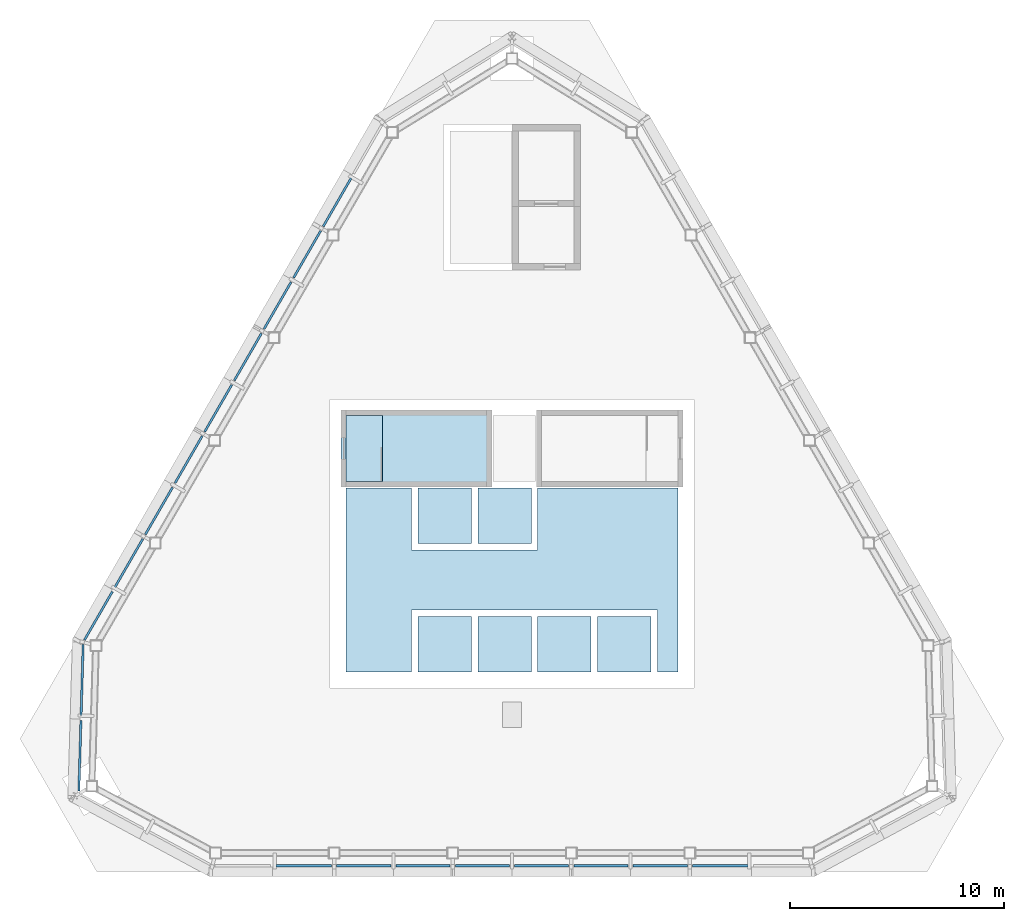
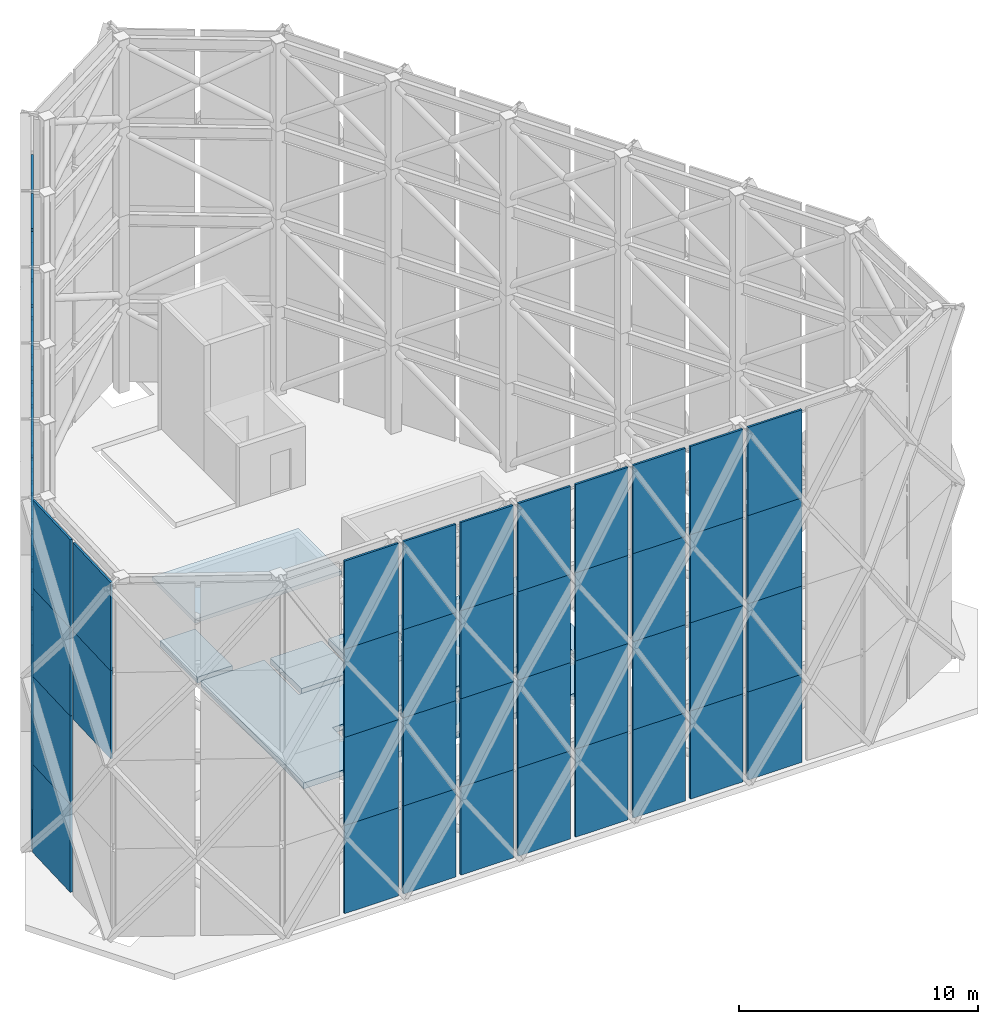
# One storey, part 8 of 12: 74 plates, 9 slabs.
"""IFC4 building model written with IfcOpenShell, lengths in metres."""

import ifcopenshell
import ifcopenshell.guid

model = None  # the IFC model being written
_history = None  # IfcOwnerHistory: only IFC2X3 demands one
_inside = {}  # id of a spatial element -> (the spatial element, [elements in it])
_under = {}  # id of a project, library or spatial element -> (it, [spatial elements below it])
_declared = {}  # id of a project -> (the project, [libraries it declares])
_typed = {}  # id of a type object -> (the type object, [elements of that type])
_made_of = {}  # id of a material, layer set ... -> (it, [elements and type objects made of it])


def new_model(schema):
    """Start an empty IFC model of exactly this schema.

    Asked for "IFC4X3", IfcOpenShell would pick the latest addendum, in which some entities
    have other attributes; the version numbers below select the first issue.
    IFC2X3 requires an IfcOwnerHistory on every rooted entity: one is made here for all.
    """
    global model, _history
    if schema == "IFC4X3":
        model = ifcopenshell.file(schema_version=(4, 3, 0, 0))
    else:
        model = ifcopenshell.file(schema=schema)
    _inside.clear()
    _under.clear()
    _declared.clear()
    _typed.clear()
    _made_of.clear()
    _history = None
    if model.schema == "IFC2X3":
        org = make("IfcOrganization", Name="unknown")
        user = make(
            "IfcPersonAndOrganization",
            ThePerson=make("IfcPerson", FamilyName="unknown"),
            TheOrganization=org,
        )
        app = make(
            "IfcApplication",
            ApplicationDeveloper=org,
            Version="unknown",
            ApplicationFullName="unknown",
            ApplicationIdentifier="unknown",
        )
        _history = make(
            "IfcOwnerHistory",
            OwningUser=user,
            OwningApplication=app,
            ChangeAction="ADDED",
            CreationDate=0,
        )
    return model


def make(cls, **values):
    """One entity of the class cls with the attributes given. An attribute that is None is left unset."""
    return model.create_entity(
        cls, **{name: value for name, value in values.items() if value is not None}
    )


def rooted(cls, **values):
    """An entity with a GlobalId (a new one), such as an element, a storey or a relation."""
    return make(cls, GlobalId=ifcopenshell.guid.new(), OwnerHistory=_history, **values)


def si_unit(unit_type, name, prefix=None):
    """IfcSIUnit, for example si_unit("LENGTHUNIT", "METRE", prefix="MILLI")."""
    return make("IfcSIUnit", UnitType=unit_type, Prefix=prefix, Name=name)


def assignment(units):
    """IfcUnitAssignment: the units of a project."""
    return None if units is None else make("IfcUnitAssignment", Units=units)


def point(xyz):
    """IfcCartesianPoint."""
    return None if xyz is None else make("IfcCartesianPoint", Coordinates=xyz)


def direction(xyz):
    """IfcDirection."""
    return None if xyz is None else make("IfcDirection", DirectionRatios=xyz)


def frame(location, z_axis=None, x_axis=None):
    """IfcAxis2Placement3D, a coordinate frame: its origin and axes. An axis left out is left unset."""
    return make(
        "IfcAxis2Placement3D",
        Location=point(location),
        Axis=direction(z_axis),
        RefDirection=direction(x_axis),
    )


def origin():
    """The frame at (0, 0, 0) with its axes left unset."""
    return frame((0.0, 0.0, 0.0))


def place(relative_to, where):
    """IfcLocalPlacement: puts the frame where relative to a parent placement (None: the world)."""
    return make(
        "IfcLocalPlacement", PlacementRelTo=relative_to, RelativePlacement=where
    )


def context(
    kind, dimensions, precision=None, world=None, true_north=None, identifier=None
):
    """IfcGeometricRepresentationContext, for example the 3D "Model" context."""
    return make(
        "IfcGeometricRepresentationContext",
        ContextIdentifier=identifier,
        ContextType=kind,
        CoordinateSpaceDimension=dimensions,
        Precision=precision,
        WorldCoordinateSystem=world,
        TrueNorth=true_north,
    )


def subcontext(parent, identifier, kind, view, scale=None):
    """IfcGeometricRepresentationSubContext, for example "Body" below "Model"."""
    return make(
        "IfcGeometricRepresentationSubContext",
        ContextIdentifier=identifier,
        ContextType=kind,
        ParentContext=parent,
        TargetScale=scale,
        TargetView=view,
    )


def project(units=None, contexts=None):
    """IfcProject with its units and contexts."""
    return rooted(
        "IfcProject",
        Name="project",
        RepresentationContexts=contexts,
        UnitsInContext=assignment(units),
    )


def spatial(cls, under=None, at=None, **own):
    """A site, building, storey or space (cls), placed at a placement, below another one or the project."""
    s = rooted(cls, ObjectPlacement=at, **own)
    if under is not None:
        _under.setdefault(under.id(), (under, []))[1].append(s)
    return s


def polyline(points):
    """IfcPolyline through the points."""
    return make("IfcPolyline", Points=[point(p) for p in points])


def outline(outer, holes=None, kind="AREA"):
    """IfcArbitraryClosedProfileDef: a profile drawn as a closed curve; with holes, ...WithVoids."""
    if holes is None:
        return make("IfcArbitraryClosedProfileDef", ProfileType=kind, OuterCurve=outer)
    return make(
        "IfcArbitraryProfileDefWithVoids",
        ProfileType=kind,
        OuterCurve=outer,
        InnerCurves=holes,
    )


def extrude(swept, where, along, depth):
    """IfcExtrudedAreaSolid: the profile swept, set in the frame where, extruded along a direction by depth."""
    return make(
        "IfcExtrudedAreaSolid",
        SweptArea=swept,
        Position=where,
        ExtrudedDirection=direction(along),
        Depth=depth,
    )


def shape(context_of_items, identifier, shape_type, items):
    """IfcShapeRepresentation: the items that make up one representation, for example the "Body"."""
    return make(
        "IfcShapeRepresentation",
        ContextOfItems=context_of_items,
        RepresentationIdentifier=identifier,
        RepresentationType=shape_type,
        Items=items,
    )


def material(Name=None, Category=None):
    """IfcMaterial."""
    return make("IfcMaterial", Name=Name, Category=Category)


def layer(
    of_material, thickness, ventilated=None, Name=None, Category=None, Priority=None
):
    """IfcMaterialLayer: one layer of a wall or slab, of a material (None: an air gap)."""
    return make(
        "IfcMaterialLayer",
        Material=of_material,
        LayerThickness=thickness,
        IsVentilated=ventilated,
        Name=Name,
        Category=Category,
        Priority=Priority,
    )


def layer_set(layers, Name=None):
    """IfcMaterialLayerSet."""
    return make("IfcMaterialLayerSet", MaterialLayers=layers, LayerSetName=Name)


def made_of(thing, what):
    """Note that an element or type object is made of a material, layer set ...; save() writes the relation."""
    if what is not None:
        _made_of.setdefault(what.id(), (what, []))[1].append(thing)
    return thing


def type_object(cls, material=None, **own):
    """A type object (cls), such as IfcWallType, which elements share."""
    return made_of(rooted(cls, **own), material)


def element(
    cls,
    number,
    at=None,
    inside=None,
    cuts=None,
    type_object=None,
    material=None,
    context=None,
    identifier="Body",
    shape_type=None,
    held_by="IfcProductDefinitionShape",
    body=None,
    shapes=None,
    **own,
):
    """One element of the class cls, such as IfcWall. Its Tag is "e" and its number.

    at: its placement. inside: the storey or other place that contains it. cuts: it is an
    opening in that element (IfcRelVoidsElement). A single representation is given by context,
    identifier, shape_type and body (its items); several are given by shapes. held_by: the class
    of the entity that holds the representations. save() writes the other relations.
    """
    e = rooted(cls, Tag="e%d" % number, ObjectPlacement=at, **own)
    if body is not None:
        shapes = [shape(context, identifier, shape_type, body)]
    if shapes is not None:
        e.Representation = make(held_by, Representations=shapes)
    if inside is not None:
        _inside.setdefault(inside.id(), (inside, []))[1].append(e)
    if cuts is not None:
        rooted(
            "IfcRelVoidsElement", RelatingBuildingElement=cuts, RelatedOpeningElement=e
        )
    if type_object is not None:
        _typed.setdefault(type_object.id(), (type_object, []))[1].append(e)
    return made_of(e, material)


def aggregate(whole, parts):
    """IfcRelAggregates: a whole, such as a stair, and the parts it consists of."""
    return rooted("IfcRelAggregates", RelatingObject=whole, RelatedObjects=parts)


def save(model, path):
    """Write the relations noted so far, then the file.

    IfcRelAggregates (storeys below a building ...), IfcRelContainedInSpatialStructure (elements
    in a storey), IfcRelDefinesByType, IfcRelAssociatesMaterial and IfcRelDeclares: one each for
    every whole, place, type object, material and project.
    """
    for whole, parts in _under.values():
        aggregate(whole, parts)
    for where, things in _inside.values():
        rooted(
            "IfcRelContainedInSpatialStructure",
            RelatedElements=things,
            RelatingStructure=where,
        )
    for kind, things in _typed.values():
        rooted("IfcRelDefinesByType", RelatedObjects=things, RelatingType=kind)
    for what, things in _made_of.values():
        rooted("IfcRelAssociatesMaterial", RelatedObjects=things, RelatingMaterial=what)
    for by, libraries in _declared.values():
        rooted("IfcRelDeclares", RelatingContext=by, RelatedDefinitions=libraries)
    model.write(path)


model = new_model("IFC4")

# Units and contexts
model_context = context("Model", 3, precision=1e-05, world=origin(), true_north=direction((0.0, 1.0)))
body_context = subcontext(model_context, "Body", "Model", "MODEL_VIEW")
ifc_project = project(units=[si_unit("LENGTHUNIT", "METRE"), si_unit("AREAUNIT", "SQUARE_METRE"), si_unit("VOLUMEUNIT", "CUBIC_METRE"), si_unit("PLANEANGLEUNIT", "RADIAN"), si_unit("MASSUNIT", "GRAM", prefix="KILO")], contexts=[model_context])

# Site, building, storey
site_placement = place(None, origin())
site = spatial("IfcSite", under=ifc_project, at=site_placement, CompositionType="ELEMENT")
building_placement = place(site_placement, origin())
building = spatial("IfcBuilding", under=site, at=building_placement, Name="Firuza Gate Tower and Library", CompositionType="ELEMENT")
storey_placement = place(building_placement, frame((0.0, 0.0, 339.60009765625)))
storey = spatial("IfcBuildingStorey", under=building, at=storey_placement, Name="Roof", CompositionType="ELEMENT", Elevation=339.60009765625)

# Slabs
ifc_material_1 = material(Name="Concrete C40/50", Category="concrete")
ifc_layer_1 = layer(ifc_material_1, 0.300048828125)
ifc_layer_set_1 = layer_set([ifc_layer_1], Name="Crown deck 300 C40/50")
slab_type_1 = type_object("IfcSlabType", Name="Crown deck 300 C40/50", PredefinedType="ROOF", material=ifc_layer_set_1)
placement = place(storey_placement, frame((0.0, 0.0, -0.300048828125)))
element("IfcSlab", 1, at=placement, inside=storey, type_object=slab_type_1, Name="Crown deck over L82", PredefinedType="ROOF", context=body_context, shape_type="SweptSolid", body=[
    extrude(outline(polyline([(70.300048828125, 77.60009765625), (67.25, 77.60009765625), (67.25, 69.0), (70.300048828125, 69.0), (70.300048828125, 71.60009765625), (70.300048828125, 71.89990234375), (81.800048828125, 71.89990234375), (81.800048828125, 71.60009765625), (81.800048828125, 71.60009765625), (81.800048828125, 69.0), (82.75, 69.0), (82.75, 77.60009765625), (76.199951171875, 77.60009765625), (76.199951171875, 75.0), (76.199951171875, 74.699951171875), (70.300048828125, 74.699951171875), (70.300048828125, 75.0), (70.300048828125, 77.60009765625)])), origin(), (0.0, 0.0, 1.0), 0.300048828125),
])
element("IfcSlab", 2, at=placement, inside=storey, type_object=slab_type_1, Name="Crown deck over L82", PredefinedType="ROOF", context=body_context, shape_type="SweptSolid", body=[
    extrude(outline(polyline([(73.10009765625, 71.60009765625), (70.60009765625, 71.60009765625), (70.60009765625, 69.0), (73.10009765625, 69.0), (73.10009765625, 71.60009765625)])), origin(), (0.0, 0.0, 1.0), 0.300048828125),
])
element("IfcSlab", 3, at=placement, inside=storey, type_object=slab_type_1, Name="Crown deck over L82", PredefinedType="ROOF", context=body_context, shape_type="SweptSolid", body=[
    extrude(outline(polyline([(75.89990234375, 71.60009765625), (73.39990234375, 71.60009765625), (73.39990234375, 69.0), (75.89990234375, 69.0), (75.89990234375, 71.60009765625)])), origin(), (0.0, 0.0, 1.0), 0.300048828125),
])
element("IfcSlab", 4, at=placement, inside=storey, type_object=slab_type_1, Name="Crown deck over L82", PredefinedType="ROOF", context=body_context, shape_type="SweptSolid", body=[
    extrude(outline(polyline([(76.199951171875, 71.60009765625), (76.199951171875, 69.0), (78.699951171875, 69.0), (78.699951171875, 71.60009765625), (76.199951171875, 71.60009765625)])), origin(), (0.0, 0.0, 1.0), 0.300048828125),
])
element("IfcSlab", 5, at=placement, inside=storey, type_object=slab_type_1, Name="Crown deck over L82", PredefinedType="ROOF", context=body_context, shape_type="SweptSolid", body=[
    extrude(outline(polyline([(79.0, 71.60009765625), (79.0, 69.0), (81.5, 69.0), (81.5, 71.60009765625), (79.0, 71.60009765625)])), origin(), (0.0, 0.0, 1.0), 0.300048828125),
])
element("IfcSlab", 6, at=placement, inside=storey, type_object=slab_type_1, Name="Crown deck over L82", PredefinedType="ROOF", context=body_context, shape_type="SweptSolid", body=[
    extrude(outline(polyline([(70.60009765625, 75.0), (73.10009765625, 75.0), (73.10009765625, 77.60009765625), (70.60009765625, 77.60009765625), (70.60009765625, 75.0)])), origin(), (0.0, 0.0, 1.0), 0.300048828125),
])
element("IfcSlab", 7, at=placement, inside=storey, type_object=slab_type_1, Name="Crown deck over L82", PredefinedType="ROOF", context=body_context, shape_type="SweptSolid", body=[
    extrude(outline(polyline([(75.89990234375, 77.60009765625), (73.39990234375, 77.60009765625), (73.39990234375, 75.0), (75.89990234375, 75.0), (75.89990234375, 77.60009765625)])), origin(), (0.0, 0.0, 1.0), 0.300048828125),
])
element("IfcSlab", 8, at=placement, inside=storey, type_object=slab_type_1, Name="Crown deck over L82", PredefinedType="ROOF", context=body_context, shape_type="SweptSolid", body=[
    extrude(outline(polyline([(67.25, 77.89990234375), (68.9404296875, 77.89990234375), (68.9404296875, 81.0), (67.25, 81.0), (67.25, 77.89990234375)])), origin(), (0.0, 0.0, 1.0), 0.300048828125),
])

# Plates
ifc_material_2 = material(Name="Perforated ceramic tile")
ifc_layer_2 = layer(ifc_material_2, 0.10009765625)
ifc_layer_set_2 = layer_set([ifc_layer_2], Name="Perforated ceramic SCREEN panel")
plate_type = type_object("IfcPlateType", Name="Perforated ceramic SCREEN panel", PredefinedType="SHEET", material=ifc_layer_set_2)
plate_1_placement = place(storey_placement, frame((54.902099609375, 70.278564453125, 0.0), z_axis=(-0.999572400791, 0.029240649384, 0.0), x_axis=(-0.029240649384, -0.999572400791, 0.0)))
element("IfcPlate", 9, at=plate_1_placement, inside=storey, type_object=plate_type, Name="SCREEN 1.1.1", PredefinedType="SHEET", context=body_context, shape_type="SweptSolid", body=[
    extrude(outline(polyline([(0.0, 0.0), (3.306345431315269, 0.0), (3.306345431315269, 4.499999999999999), (0.0, 4.499999999999999), (0.0, 0.0)])), origin(), (0.0, 0.0, -1.0), 0.10009765625),
])
plate_2_placement = place(storey_placement, frame((63.95849609375, 59.892578125, 0.0), z_axis=(0.0, -1.0, 0.0), x_axis=(1.0, 0.0, 0.0)))
element("IfcPlate", 10, at=plate_2_placement, inside=storey, type_object=plate_type, Name="SCREEN 1.3.2", PredefinedType="SHEET", context=body_context, shape_type="SweptSolid", body=[
    extrude(outline(polyline([(0.0, 0.0), (2.607177734375, 0.0), (2.607177734375, 4.5), (0.0, 4.5), (0.0, 0.0)])), origin(), (0.0, 0.0, -1.0), 0.10009765625),
])
for number, where, z_axis, x_axis, name in (
    (11, (66.8056640625, 59.892578125, 0.0), (0.0, -1.0, 0.0), (1.0, 0.0, 0.0), "SCREEN 1.4.1"),
    (12, (69.5771484375, 59.892578125, 0.0), (0.0, -1.0, 0.0), (1.0, 0.0, 0.0), "SCREEN 1.4.2"),
):
    element("IfcPlate", number, at=place(storey_placement, frame(where, z_axis=z_axis, x_axis=x_axis)), inside=storey, type_object=plate_type, Name=name, PredefinedType="SHEET", context=body_context, shape_type="SweptSolid", body=[
        extrude(outline(polyline([(0.0, 0.0), (2.531494140625, 0.0), (2.531494140625, 4.5), (0.0, 4.5), (0.0, 0.0)])), origin(), (0.0, 0.0, -1.0), 0.10009765625),
    ])
for number, where, z_axis, x_axis, name in (
    (13, (72.3486328125, 59.892578125, 0.0), (0.0, -1.0, 0.0), (1.0, 0.0, 0.0), "SCREEN 1.5.1"),
    (14, (75.1201171875, 59.892578125, 0.0), (0.0, -1.0, 0.0), (1.0, 0.0, 0.0), "SCREEN 1.5.2"),
):
    element("IfcPlate", number, at=place(storey_placement, frame(where, z_axis=z_axis, x_axis=x_axis)), inside=storey, type_object=plate_type, Name=name, PredefinedType="SHEET", context=body_context, shape_type="SweptSolid", body=[
        extrude(outline(polyline([(0.0, 0.0), (2.53125, 0.0), (2.53125, 4.5), (0.0, 4.5), (0.0, 0.0)])), origin(), (0.0, 0.0, -1.0), 0.10009765625),
    ])
for number, where, z_axis, x_axis, name in (
    (15, (77.891357421875, 59.892578125, 0.0), (0.0, -1.0, 0.0), (1.0, 0.0, 0.0), "SCREEN 1.6.1"),
    (16, (80.662841796875, 59.892578125, 0.0), (0.0, -1.0, 0.0), (1.0, 0.0, 0.0), "SCREEN 1.6.2"),
):
    element("IfcPlate", number, at=place(storey_placement, frame(where, z_axis=z_axis, x_axis=x_axis)), inside=storey, type_object=plate_type, Name=name, PredefinedType="SHEET", context=body_context, shape_type="SweptSolid", body=[
        extrude(outline(polyline([(0.0, 0.0), (2.531494140625, 0.0), (2.531494140625, 4.5), (0.0, 4.5), (0.0, 0.0)])), origin(), (0.0, 0.0, -1.0), 0.10009765625),
    ])
plate_3_placement = place(storey_placement, frame((83.434326171875, 59.892578125, 0.0), z_axis=(0.0, -1.0, 0.0), x_axis=(1.0, 0.0, 0.0)))
element("IfcPlate", 17, at=plate_3_placement, inside=storey, type_object=plate_type, Name="SCREEN 1.7.1", PredefinedType="SHEET", context=body_context, shape_type="SweptSolid", body=[
    extrude(outline(polyline([(0.0, 0.0), (2.607177734375, 0.0), (2.607177734375, 4.5), (0.0, 4.5), (0.0, 0.0)])), origin(), (0.0, 0.0, -1.0), 0.10009765625),
])
plate_4_placement = place(storey_placement, frame((67.437255859375, 92.115966796875, 0.0), z_axis=(-0.865998449813, 0.500046682742, 0.0), x_axis=(-0.500046682742, -0.865998449813, 0.0)))
element("IfcPlate", 18, at=plate_4_placement, inside=storey, type_object=plate_type, Name="SCREEN 1.17.2", PredefinedType="SHEET", context=body_context, shape_type="SweptSolid", body=[
    extrude(outline(polyline([(0.0, 0.0), (2.607178454520016, 0.0), (2.607178454520016, 4.5), (0.0, 4.5), (0.0, 0.0)])), origin(), (0.0, 0.0, -1.0), 0.10009765625),
])
for number, where, z_axis, x_axis, name in (
    (19, (66.013671875, 89.650146484375, 0.0), (-0.866026575979, 0.499997969693, 0.0), (-0.499997969693, -0.866026575979, 0.0), "SCREEN 1.18.1"),
    (20, (64.6279296875, 87.25, 0.0), (-0.866026575979, 0.499997969693, 0.0), (-0.499997969693, -0.866026575979, 0.0), "SCREEN 1.18.2"),
    (21, (63.2421875, 84.849853515625, 0.0), (-0.866026575979, 0.499997969693, 0.0), (-0.499997969693, -0.866026575979, 0.0), "SCREEN 1.19.1"),
):
    element("IfcPlate", number, at=place(storey_placement, frame(where, z_axis=z_axis, x_axis=x_axis)), inside=storey, type_object=plate_type, Name=name, PredefinedType="SHEET", context=body_context, shape_type="SweptSolid", body=[
        extrude(outline(polyline([(0.0, 0.0), (2.531260278468986, 0.0), (2.531260278468986, 4.500000000000001), (0.0, 4.500000000000001), (0.0, 0.0)])), origin(), (0.0, 0.0, -1.0), 0.10009765625),
    ])
for number, where, z_axis, x_axis, name in (
    (22, (61.8564453125, 82.449951171875, 0.0), (-0.866050685319, 0.499956208541, 0.0), (-0.499956208541, -0.866050685319, 0.0), "SCREEN 1.19.2"),
    (23, (60.470703125, 80.0498046875, 0.0), (-0.866050685319, 0.499956208541, 0.0), (-0.499956208541, -0.866050685319, 0.0), "SCREEN 1.20.1"),
    (24, (59.0849609375, 77.649658203125, 0.0), (-0.866050685319, 0.499956208541, 0.0), (-0.499956208541, -0.866050685319, 0.0), "SCREEN 1.20.2"),
):
    element("IfcPlate", number, at=place(storey_placement, frame(where, z_axis=z_axis, x_axis=x_axis)), inside=storey, type_object=plate_type, Name=name, PredefinedType="SHEET", context=body_context, shape_type="SweptSolid", body=[
        extrude(outline(polyline([(0.0, 0.0), (2.53147171368167, 0.0), (2.53147171368167, 4.5), (0.0, 4.5), (0.0, 0.0)])), origin(), (0.0, 0.0, -1.0), 0.10009765625),
    ])
for number, where, z_axis, x_axis, name in (
    (25, (57.699462890625, 75.24951171875, 0.0), (-0.865998449813, 0.500046682742, 0.0), (-0.500046682742, -0.865998449813, 0.0), "SCREEN 1.21.1"),
    (26, (56.27587890625, 72.78369140625, 0.0), (-0.865998449813, 0.500046682742, 0.0), (-0.500046682742, -0.865998449813, 0.0), "SCREEN 1.21.2"),
):
    element("IfcPlate", number, at=place(storey_placement, frame(where, z_axis=z_axis, x_axis=x_axis)), inside=storey, type_object=plate_type, Name=name, PredefinedType="SHEET", context=body_context, shape_type="SweptSolid", body=[
        extrude(outline(polyline([(0.0, 0.0), (2.607178454520016, 0.0), (2.607178454520016, 4.5), (0.0, 4.5), (0.0, 0.0)])), origin(), (0.0, 0.0, -1.0), 0.10009765625),
    ])
plate_5_placement = place(storey_placement, frame((54.902099609375, 70.278564453125, 4.5), z_axis=(-0.999572400791, 0.029240649384, 0.0), x_axis=(-0.029240649384, -0.999572400791, 0.0)))
element("IfcPlate", 27, at=plate_5_placement, inside=storey, type_object=plate_type, Name="SCREEN 2.1.1", PredefinedType="SHEET", context=body_context, shape_type="SweptSolid", body=[
    extrude(outline(polyline([(0.0, 0.0), (3.306345431315269, 0.0), (3.306345431315269, 4.499999999999999), (0.0, 4.499999999999999), (0.0, 0.0)])), origin(), (0.0, 0.0, -1.0), 0.10009765625),
])
plate_6_placement = place(storey_placement, frame((63.95849609375, 59.892578125, 4.5), z_axis=(0.0, -1.0, 0.0), x_axis=(1.0, 0.0, 0.0)))
element("IfcPlate", 28, at=plate_6_placement, inside=storey, type_object=plate_type, Name="SCREEN 2.3.2", PredefinedType="SHEET", context=body_context, shape_type="SweptSolid", body=[
    extrude(outline(polyline([(0.0, 0.0), (2.607177734375, 0.0), (2.607177734375, 4.5), (0.0, 4.5), (0.0, 0.0)])), origin(), (0.0, 0.0, -1.0), 0.10009765625),
])
for number, where, z_axis, x_axis, name in (
    (29, (66.8056640625, 59.892578125, 4.5), (0.0, -1.0, 0.0), (1.0, 0.0, 0.0), "SCREEN 2.4.1"),
    (30, (69.5771484375, 59.892578125, 4.5), (0.0, -1.0, 0.0), (1.0, 0.0, 0.0), "SCREEN 2.4.2"),
):
    element("IfcPlate", number, at=place(storey_placement, frame(where, z_axis=z_axis, x_axis=x_axis)), inside=storey, type_object=plate_type, Name=name, PredefinedType="SHEET", context=body_context, shape_type="SweptSolid", body=[
        extrude(outline(polyline([(0.0, 0.0), (2.531494140625, 0.0), (2.531494140625, 4.5), (0.0, 4.5), (0.0, 0.0)])), origin(), (0.0, 0.0, -1.0), 0.10009765625),
    ])
for number, where, z_axis, x_axis, name in (
    (31, (72.3486328125, 59.892578125, 4.5), (0.0, -1.0, 0.0), (1.0, 0.0, 0.0), "SCREEN 2.5.1"),
    (32, (75.1201171875, 59.892578125, 4.5), (0.0, -1.0, 0.0), (1.0, 0.0, 0.0), "SCREEN 2.5.2"),
):
    element("IfcPlate", number, at=place(storey_placement, frame(where, z_axis=z_axis, x_axis=x_axis)), inside=storey, type_object=plate_type, Name=name, PredefinedType="SHEET", context=body_context, shape_type="SweptSolid", body=[
        extrude(outline(polyline([(0.0, 0.0), (2.53125, 0.0), (2.53125, 4.5), (0.0, 4.5), (0.0, 0.0)])), origin(), (0.0, 0.0, -1.0), 0.10009765625),
    ])
for number, where, z_axis, x_axis, name in (
    (33, (77.891357421875, 59.892578125, 4.5), (0.0, -1.0, 0.0), (1.0, 0.0, 0.0), "SCREEN 2.6.1"),
    (34, (80.662841796875, 59.892578125, 4.5), (0.0, -1.0, 0.0), (1.0, 0.0, 0.0), "SCREEN 2.6.2"),
):
    element("IfcPlate", number, at=place(storey_placement, frame(where, z_axis=z_axis, x_axis=x_axis)), inside=storey, type_object=plate_type, Name=name, PredefinedType="SHEET", context=body_context, shape_type="SweptSolid", body=[
        extrude(outline(polyline([(0.0, 0.0), (2.531494140625, 0.0), (2.531494140625, 4.5), (0.0, 4.5), (0.0, 0.0)])), origin(), (0.0, 0.0, -1.0), 0.10009765625),
    ])
plate_7_placement = place(storey_placement, frame((83.434326171875, 59.892578125, 4.5), z_axis=(0.0, -1.0, 0.0), x_axis=(1.0, 0.0, 0.0)))
element("IfcPlate", 35, at=plate_7_placement, inside=storey, type_object=plate_type, Name="SCREEN 2.7.1", PredefinedType="SHEET", context=body_context, shape_type="SweptSolid", body=[
    extrude(outline(polyline([(0.0, 0.0), (2.607177734375, 0.0), (2.607177734375, 4.5), (0.0, 4.5), (0.0, 0.0)])), origin(), (0.0, 0.0, -1.0), 0.10009765625),
])
plate_8_placement = place(storey_placement, frame((67.437255859375, 92.115966796875, 4.5), z_axis=(-0.865998449813, 0.500046682742, 0.0), x_axis=(-0.500046682742, -0.865998449813, 0.0)))
element("IfcPlate", 36, at=plate_8_placement, inside=storey, type_object=plate_type, Name="SCREEN 2.17.2", PredefinedType="SHEET", context=body_context, shape_type="SweptSolid", body=[
    extrude(outline(polyline([(0.0, 0.0), (2.607178454520016, 0.0), (2.607178454520016, 4.5), (0.0, 4.5), (0.0, 0.0)])), origin(), (0.0, 0.0, -1.0), 0.10009765625),
])
for number, where, z_axis, x_axis, name in (
    (37, (66.013671875, 89.650146484375, 4.5), (-0.866026575979, 0.499997969693, 0.0), (-0.499997969693, -0.866026575979, 0.0), "SCREEN 2.18.1"),
    (38, (64.6279296875, 87.25, 4.5), (-0.866026575979, 0.499997969693, 0.0), (-0.499997969693, -0.866026575979, 0.0), "SCREEN 2.18.2"),
    (39, (63.2421875, 84.849853515625, 4.5), (-0.866026575979, 0.499997969693, 0.0), (-0.499997969693, -0.866026575979, 0.0), "SCREEN 2.19.1"),
):
    element("IfcPlate", number, at=place(storey_placement, frame(where, z_axis=z_axis, x_axis=x_axis)), inside=storey, type_object=plate_type, Name=name, PredefinedType="SHEET", context=body_context, shape_type="SweptSolid", body=[
        extrude(outline(polyline([(0.0, 0.0), (2.531260278468986, 0.0), (2.531260278468986, 4.500000000000001), (0.0, 4.500000000000001), (0.0, 0.0)])), origin(), (0.0, 0.0, -1.0), 0.10009765625),
    ])
for number, where, z_axis, x_axis, name in (
    (40, (61.8564453125, 82.449951171875, 4.5), (-0.866050685319, 0.499956208541, 0.0), (-0.499956208541, -0.866050685319, 0.0), "SCREEN 2.19.2"),
    (41, (60.470703125, 80.0498046875, 4.5), (-0.866050685319, 0.499956208541, 0.0), (-0.499956208541, -0.866050685319, 0.0), "SCREEN 2.20.1"),
    (42, (59.0849609375, 77.649658203125, 4.5), (-0.866050685319, 0.499956208541, 0.0), (-0.499956208541, -0.866050685319, 0.0), "SCREEN 2.20.2"),
):
    element("IfcPlate", number, at=place(storey_placement, frame(where, z_axis=z_axis, x_axis=x_axis)), inside=storey, type_object=plate_type, Name=name, PredefinedType="SHEET", context=body_context, shape_type="SweptSolid", body=[
        extrude(outline(polyline([(0.0, 0.0), (2.53147171368167, 0.0), (2.53147171368167, 4.5), (0.0, 4.5), (0.0, 0.0)])), origin(), (0.0, 0.0, -1.0), 0.10009765625),
    ])
for number, where, z_axis, x_axis, name in (
    (43, (57.699462890625, 75.24951171875, 4.5), (-0.865998449813, 0.500046682742, 0.0), (-0.500046682742, -0.865998449813, 0.0), "SCREEN 2.21.1"),
    (44, (56.27587890625, 72.78369140625, 4.5), (-0.865998449813, 0.500046682742, 0.0), (-0.500046682742, -0.865998449813, 0.0), "SCREEN 2.21.2"),
):
    element("IfcPlate", number, at=place(storey_placement, frame(where, z_axis=z_axis, x_axis=x_axis)), inside=storey, type_object=plate_type, Name=name, PredefinedType="SHEET", context=body_context, shape_type="SweptSolid", body=[
        extrude(outline(polyline([(0.0, 0.0), (2.607178454520016, 0.0), (2.607178454520016, 4.5), (0.0, 4.5), (0.0, 0.0)])), origin(), (0.0, 0.0, -1.0), 0.10009765625),
    ])
plate_9_placement = place(storey_placement, frame((54.902099609375, 70.278564453125, 9.0), z_axis=(-0.999572400791, 0.029240649384, 0.0), x_axis=(-0.029240649384, -0.999572400791, 0.0)))
element("IfcPlate", 45, at=plate_9_placement, inside=storey, type_object=plate_type, Name="SCREEN 3.1.1", PredefinedType="SHEET", context=body_context, shape_type="SweptSolid", body=[
    extrude(outline(polyline([(0.0, 0.0), (3.306345431315269, 0.0), (3.306345431315269, 4.499999999999999), (0.0, 4.499999999999999), (0.0, 0.0)])), origin(), (0.0, 0.0, -1.0), 0.10009765625),
])
plate_10_placement = place(storey_placement, frame((54.79833984375, 66.73388671875, 9.0), z_axis=(-0.99957455628, 0.029166872256, 0.0), x_axis=(-0.029166872256, -0.99957455628, 0.0)))
element("IfcPlate", 46, at=plate_10_placement, inside=storey, type_object=plate_type, Name="SCREEN 3.1.2", PredefinedType="SHEET", context=body_context, shape_type="SweptSolid", body=[
    extrude(outline(polyline([(0.0, 0.0), (3.3063383014908405, 0.0), (3.3063383014908405, 4.5), (0.0, 4.5), (0.0, 0.0)])), origin(), (0.0, 0.0, -1.0), 0.10009765625),
])
plate_11_placement = place(storey_placement, frame((63.95849609375, 59.892578125, 9.0), z_axis=(0.0, -1.0, 0.0), x_axis=(1.0, 0.0, 0.0)))
element("IfcPlate", 47, at=plate_11_placement, inside=storey, type_object=plate_type, Name="SCREEN 3.3.2", PredefinedType="SHEET", context=body_context, shape_type="SweptSolid", body=[
    extrude(outline(polyline([(0.0, 0.0), (2.607177734375, 0.0), (2.607177734375, 4.5), (0.0, 4.5), (0.0, 0.0)])), origin(), (0.0, 0.0, -1.0), 0.10009765625),
])
for number, where, z_axis, x_axis, name in (
    (48, (66.8056640625, 59.892578125, 9.0), (0.0, -1.0, 0.0), (1.0, 0.0, 0.0), "SCREEN 3.4.1"),
    (49, (69.5771484375, 59.892578125, 9.0), (0.0, -1.0, 0.0), (1.0, 0.0, 0.0), "SCREEN 3.4.2"),
):
    element("IfcPlate", number, at=place(storey_placement, frame(where, z_axis=z_axis, x_axis=x_axis)), inside=storey, type_object=plate_type, Name=name, PredefinedType="SHEET", context=body_context, shape_type="SweptSolid", body=[
        extrude(outline(polyline([(0.0, 0.0), (2.531494140625, 0.0), (2.531494140625, 4.5), (0.0, 4.5), (0.0, 0.0)])), origin(), (0.0, 0.0, -1.0), 0.10009765625),
    ])
for number, where, z_axis, x_axis, name in (
    (50, (72.3486328125, 59.892578125, 9.0), (0.0, -1.0, 0.0), (1.0, 0.0, 0.0), "SCREEN 3.5.1"),
    (51, (75.1201171875, 59.892578125, 9.0), (0.0, -1.0, 0.0), (1.0, 0.0, 0.0), "SCREEN 3.5.2"),
):
    element("IfcPlate", number, at=place(storey_placement, frame(where, z_axis=z_axis, x_axis=x_axis)), inside=storey, type_object=plate_type, Name=name, PredefinedType="SHEET", context=body_context, shape_type="SweptSolid", body=[
        extrude(outline(polyline([(0.0, 0.0), (2.53125, 0.0), (2.53125, 4.5), (0.0, 4.5), (0.0, 0.0)])), origin(), (0.0, 0.0, -1.0), 0.10009765625),
    ])
for number, where, z_axis, x_axis, name in (
    (52, (77.891357421875, 59.892578125, 9.0), (0.0, -1.0, 0.0), (1.0, 0.0, 0.0), "SCREEN 3.6.1"),
    (53, (80.662841796875, 59.892578125, 9.0), (0.0, -1.0, 0.0), (1.0, 0.0, 0.0), "SCREEN 3.6.2"),
):
    element("IfcPlate", number, at=place(storey_placement, frame(where, z_axis=z_axis, x_axis=x_axis)), inside=storey, type_object=plate_type, Name=name, PredefinedType="SHEET", context=body_context, shape_type="SweptSolid", body=[
        extrude(outline(polyline([(0.0, 0.0), (2.531494140625, 0.0), (2.531494140625, 4.5), (0.0, 4.5), (0.0, 0.0)])), origin(), (0.0, 0.0, -1.0), 0.10009765625),
    ])
plate_12_placement = place(storey_placement, frame((83.434326171875, 59.892578125, 9.0), z_axis=(0.0, -1.0, 0.0), x_axis=(1.0, 0.0, 0.0)))
element("IfcPlate", 54, at=plate_12_placement, inside=storey, type_object=plate_type, Name="SCREEN 3.7.1", PredefinedType="SHEET", context=body_context, shape_type="SweptSolid", body=[
    extrude(outline(polyline([(0.0, 0.0), (2.607177734375, 0.0), (2.607177734375, 4.5), (0.0, 4.5), (0.0, 0.0)])), origin(), (0.0, 0.0, -1.0), 0.10009765625),
])
plate_13_placement = place(storey_placement, frame((67.437255859375, 92.115966796875, 9.0), z_axis=(-0.865998449813, 0.500046682742, 0.0), x_axis=(-0.500046682742, -0.865998449813, 0.0)))
element("IfcPlate", 55, at=plate_13_placement, inside=storey, type_object=plate_type, Name="SCREEN 3.17.2", PredefinedType="SHEET", context=body_context, shape_type="SweptSolid", body=[
    extrude(outline(polyline([(0.0, 0.0), (2.607178454520016, 0.0), (2.607178454520016, 4.5), (0.0, 4.5), (0.0, 0.0)])), origin(), (0.0, 0.0, -1.0), 0.10009765625),
])
for number, where, z_axis, x_axis, name in (
    (56, (66.013671875, 89.650146484375, 9.0), (-0.866026575979, 0.499997969693, 0.0), (-0.499997969693, -0.866026575979, 0.0), "SCREEN 3.18.1"),
    (57, (64.6279296875, 87.25, 9.0), (-0.866026575979, 0.499997969693, 0.0), (-0.499997969693, -0.866026575979, 0.0), "SCREEN 3.18.2"),
    (58, (63.2421875, 84.849853515625, 9.0), (-0.866026575979, 0.499997969693, 0.0), (-0.499997969693, -0.866026575979, 0.0), "SCREEN 3.19.1"),
):
    element("IfcPlate", number, at=place(storey_placement, frame(where, z_axis=z_axis, x_axis=x_axis)), inside=storey, type_object=plate_type, Name=name, PredefinedType="SHEET", context=body_context, shape_type="SweptSolid", body=[
        extrude(outline(polyline([(0.0, 0.0), (2.531260278468986, 0.0), (2.531260278468986, 4.500000000000001), (0.0, 4.500000000000001), (0.0, 0.0)])), origin(), (0.0, 0.0, -1.0), 0.10009765625),
    ])
for number, where, z_axis, x_axis, name in (
    (59, (61.8564453125, 82.449951171875, 9.0), (-0.866050685319, 0.499956208541, 0.0), (-0.499956208541, -0.866050685319, 0.0), "SCREEN 3.19.2"),
    (60, (60.470703125, 80.0498046875, 9.0), (-0.866050685319, 0.499956208541, 0.0), (-0.499956208541, -0.866050685319, 0.0), "SCREEN 3.20.1"),
    (61, (59.0849609375, 77.649658203125, 9.0), (-0.866050685319, 0.499956208541, 0.0), (-0.499956208541, -0.866050685319, 0.0), "SCREEN 3.20.2"),
):
    element("IfcPlate", number, at=place(storey_placement, frame(where, z_axis=z_axis, x_axis=x_axis)), inside=storey, type_object=plate_type, Name=name, PredefinedType="SHEET", context=body_context, shape_type="SweptSolid", body=[
        extrude(outline(polyline([(0.0, 0.0), (2.53147171368167, 0.0), (2.53147171368167, 4.5), (0.0, 4.5), (0.0, 0.0)])), origin(), (0.0, 0.0, -1.0), 0.10009765625),
    ])
for number, where, z_axis, x_axis, name in (
    (62, (57.699462890625, 75.24951171875, 9.0), (-0.865998449813, 0.500046682742, 0.0), (-0.500046682742, -0.865998449813, 0.0), "SCREEN 3.21.1"),
    (63, (56.27587890625, 72.78369140625, 9.0), (-0.865998449813, 0.500046682742, 0.0), (-0.500046682742, -0.865998449813, 0.0), "SCREEN 3.21.2"),
):
    element("IfcPlate", number, at=place(storey_placement, frame(where, z_axis=z_axis, x_axis=x_axis)), inside=storey, type_object=plate_type, Name=name, PredefinedType="SHEET", context=body_context, shape_type="SweptSolid", body=[
        extrude(outline(polyline([(0.0, 0.0), (2.607178454520016, 0.0), (2.607178454520016, 4.5), (0.0, 4.5), (0.0, 0.0)])), origin(), (0.0, 0.0, -1.0), 0.10009765625),
    ])
plate_14_placement = place(storey_placement, frame((54.902099609375, 70.278564453125, 13.5), z_axis=(-0.999572400791, 0.029240649384, 0.0), x_axis=(-0.029240649384, -0.999572400791, 0.0)))
element("IfcPlate", 64, at=plate_14_placement, inside=storey, type_object=plate_type, Name="SCREEN 4.1.1", PredefinedType="SHEET", context=body_context, shape_type="SweptSolid", body=[
    extrude(outline(polyline([(0.0, 0.0), (3.306345431315269, 0.0), (3.306345431315269, 4.499999999999999), (0.0, 4.499999999999999), (0.0, 0.0)])), origin(), (0.0, 0.0, -1.0), 0.10009765625),
])
plate_15_placement = place(storey_placement, frame((54.79833984375, 66.73388671875, 13.5), z_axis=(-0.99957455628, 0.029166872256, 0.0), x_axis=(-0.029166872256, -0.99957455628, 0.0)))
element("IfcPlate", 65, at=plate_15_placement, inside=storey, type_object=plate_type, Name="SCREEN 4.1.2", PredefinedType="SHEET", context=body_context, shape_type="SweptSolid", body=[
    extrude(outline(polyline([(0.0, 0.0), (3.3063383014908405, 0.0), (3.3063383014908405, 4.5), (0.0, 4.5), (0.0, 0.0)])), origin(), (0.0, 0.0, -1.0), 0.10009765625),
])
plate_16_placement = place(storey_placement, frame((63.95849609375, 59.892578125, 13.5), z_axis=(0.0, -1.0, 0.0), x_axis=(1.0, 0.0, 0.0)))
element("IfcPlate", 66, at=plate_16_placement, inside=storey, type_object=plate_type, Name="SCREEN 4.3.2", PredefinedType="SHEET", context=body_context, shape_type="SweptSolid", body=[
    extrude(outline(polyline([(0.0, 0.0), (2.607177734375, 0.0), (2.607177734375, 4.5), (0.0, 4.5), (0.0, 0.0)])), origin(), (0.0, 0.0, -1.0), 0.10009765625),
])
for number, where, z_axis, x_axis, name in (
    (67, (66.8056640625, 59.892578125, 13.5), (0.0, -1.0, 0.0), (1.0, 0.0, 0.0), "SCREEN 4.4.1"),
    (68, (69.5771484375, 59.892578125, 13.5), (0.0, -1.0, 0.0), (1.0, 0.0, 0.0), "SCREEN 4.4.2"),
):
    element("IfcPlate", number, at=place(storey_placement, frame(where, z_axis=z_axis, x_axis=x_axis)), inside=storey, type_object=plate_type, Name=name, PredefinedType="SHEET", context=body_context, shape_type="SweptSolid", body=[
        extrude(outline(polyline([(0.0, 0.0), (2.531494140625, 0.0), (2.531494140625, 4.5), (0.0, 4.5), (0.0, 0.0)])), origin(), (0.0, 0.0, -1.0), 0.10009765625),
    ])
for number, where, z_axis, x_axis, name in (
    (69, (72.3486328125, 59.892578125, 13.5), (0.0, -1.0, 0.0), (1.0, 0.0, 0.0), "SCREEN 4.5.1"),
    (70, (75.1201171875, 59.892578125, 13.5), (0.0, -1.0, 0.0), (1.0, 0.0, 0.0), "SCREEN 4.5.2"),
):
    element("IfcPlate", number, at=place(storey_placement, frame(where, z_axis=z_axis, x_axis=x_axis)), inside=storey, type_object=plate_type, Name=name, PredefinedType="SHEET", context=body_context, shape_type="SweptSolid", body=[
        extrude(outline(polyline([(0.0, 0.0), (2.53125, 0.0), (2.53125, 4.5), (0.0, 4.5), (0.0, 0.0)])), origin(), (0.0, 0.0, -1.0), 0.10009765625),
    ])
for number, where, z_axis, x_axis, name in (
    (71, (77.891357421875, 59.892578125, 13.5), (0.0, -1.0, 0.0), (1.0, 0.0, 0.0), "SCREEN 4.6.1"),
    (72, (80.662841796875, 59.892578125, 13.5), (0.0, -1.0, 0.0), (1.0, 0.0, 0.0), "SCREEN 4.6.2"),
):
    element("IfcPlate", number, at=place(storey_placement, frame(where, z_axis=z_axis, x_axis=x_axis)), inside=storey, type_object=plate_type, Name=name, PredefinedType="SHEET", context=body_context, shape_type="SweptSolid", body=[
        extrude(outline(polyline([(0.0, 0.0), (2.531494140625, 0.0), (2.531494140625, 4.5), (0.0, 4.5), (0.0, 0.0)])), origin(), (0.0, 0.0, -1.0), 0.10009765625),
    ])
plate_17_placement = place(storey_placement, frame((83.434326171875, 59.892578125, 13.5), z_axis=(0.0, -1.0, 0.0), x_axis=(1.0, 0.0, 0.0)))
element("IfcPlate", 73, at=plate_17_placement, inside=storey, type_object=plate_type, Name="SCREEN 4.7.1", PredefinedType="SHEET", context=body_context, shape_type="SweptSolid", body=[
    extrude(outline(polyline([(0.0, 0.0), (2.607177734375, 0.0), (2.607177734375, 4.5), (0.0, 4.5), (0.0, 0.0)])), origin(), (0.0, 0.0, -1.0), 0.10009765625),
])
plate_18_placement = place(storey_placement, frame((67.437255859375, 92.115966796875, 13.5), z_axis=(-0.865998449813, 0.500046682742, 0.0), x_axis=(-0.500046682742, -0.865998449813, 0.0)))
element("IfcPlate", 74, at=plate_18_placement, inside=storey, type_object=plate_type, Name="SCREEN 4.17.2", PredefinedType="SHEET", context=body_context, shape_type="SweptSolid", body=[
    extrude(outline(polyline([(0.0, 0.0), (2.607178454520016, 0.0), (2.607178454520016, 4.5), (0.0, 4.5), (0.0, 0.0)])), origin(), (0.0, 0.0, -1.0), 0.10009765625),
])
for number, where, z_axis, x_axis, name in (
    (75, (66.013671875, 89.650146484375, 13.5), (-0.866026575979, 0.499997969693, 0.0), (-0.499997969693, -0.866026575979, 0.0), "SCREEN 4.18.1"),
    (76, (64.6279296875, 87.25, 13.5), (-0.866026575979, 0.499997969693, 0.0), (-0.499997969693, -0.866026575979, 0.0), "SCREEN 4.18.2"),
    (77, (63.2421875, 84.849853515625, 13.5), (-0.866026575979, 0.499997969693, 0.0), (-0.499997969693, -0.866026575979, 0.0), "SCREEN 4.19.1"),
):
    element("IfcPlate", number, at=place(storey_placement, frame(where, z_axis=z_axis, x_axis=x_axis)), inside=storey, type_object=plate_type, Name=name, PredefinedType="SHEET", context=body_context, shape_type="SweptSolid", body=[
        extrude(outline(polyline([(0.0, 0.0), (2.531260278468986, 0.0), (2.531260278468986, 4.500000000000001), (0.0, 4.500000000000001), (0.0, 0.0)])), origin(), (0.0, 0.0, -1.0), 0.10009765625),
    ])
for number, where, z_axis, x_axis, name in (
    (78, (61.8564453125, 82.449951171875, 13.5), (-0.866050685319, 0.499956208541, 0.0), (-0.499956208541, -0.866050685319, 0.0), "SCREEN 4.19.2"),
    (79, (60.470703125, 80.0498046875, 13.5), (-0.866050685319, 0.499956208541, 0.0), (-0.499956208541, -0.866050685319, 0.0), "SCREEN 4.20.1"),
    (80, (59.0849609375, 77.649658203125, 13.5), (-0.866050685319, 0.499956208541, 0.0), (-0.499956208541, -0.866050685319, 0.0), "SCREEN 4.20.2"),
):
    element("IfcPlate", number, at=place(storey_placement, frame(where, z_axis=z_axis, x_axis=x_axis)), inside=storey, type_object=plate_type, Name=name, PredefinedType="SHEET", context=body_context, shape_type="SweptSolid", body=[
        extrude(outline(polyline([(0.0, 0.0), (2.53147171368167, 0.0), (2.53147171368167, 4.5), (0.0, 4.5), (0.0, 0.0)])), origin(), (0.0, 0.0, -1.0), 0.10009765625),
    ])
for number, where, z_axis, x_axis, name in (
    (81, (57.699462890625, 75.24951171875, 13.5), (-0.865998449813, 0.500046682742, 0.0), (-0.500046682742, -0.865998449813, 0.0), "SCREEN 4.21.1"),
    (82, (56.27587890625, 72.78369140625, 13.5), (-0.865998449813, 0.500046682742, 0.0), (-0.500046682742, -0.865998449813, 0.0), "SCREEN 4.21.2"),
):
    element("IfcPlate", number, at=place(storey_placement, frame(where, z_axis=z_axis, x_axis=x_axis)), inside=storey, type_object=plate_type, Name=name, PredefinedType="SHEET", context=body_context, shape_type="SweptSolid", body=[
        extrude(outline(polyline([(0.0, 0.0), (2.607178454520016, 0.0), (2.607178454520016, 4.5), (0.0, 4.5), (0.0, 0.0)])), origin(), (0.0, 0.0, -1.0), 0.10009765625),
    ])

# Slab
ifc_material_3 = material(Name="Concrete C35/45", Category="concrete")
ifc_layer_3 = layer(ifc_material_3, 0.199951171875)
ifc_layer_set_3 = layer_set([ifc_layer_3], Name="Stair head-house roof 200")
slab_type_2 = type_object("IfcSlabType", Name="Stair head-house roof 200", PredefinedType="ROOF", material=ifc_layer_set_3)
slab_9_placement = place(storey_placement, frame((0.0, 0.0, 3.0)))
element("IfcSlab", 83, at=slab_9_placement, inside=storey, type_object=slab_type_2, Name="Stair ST1 head-house roof", PredefinedType="ROOF", context=body_context, shape_type="SweptSolid", body=[
    extrude(outline(polyline([(67.0, 77.64990234375), (74.06005859375, 77.64990234375), (74.06005859375, 81.25), (67.0, 81.25), (67.0, 77.64990234375)])), origin(), (0.0, 0.0, 1.0), 0.199951171875),
])

save(model, "model.ifc")
